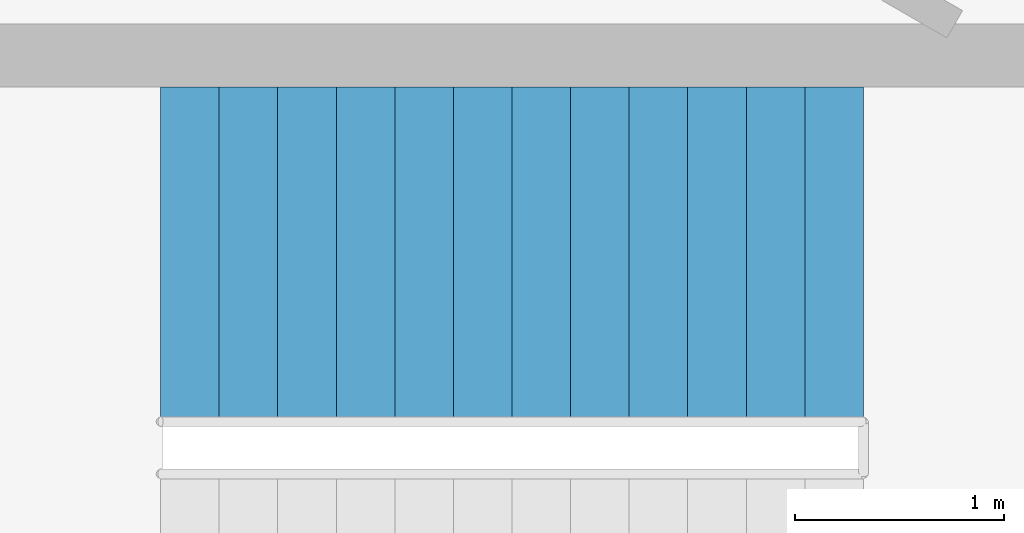
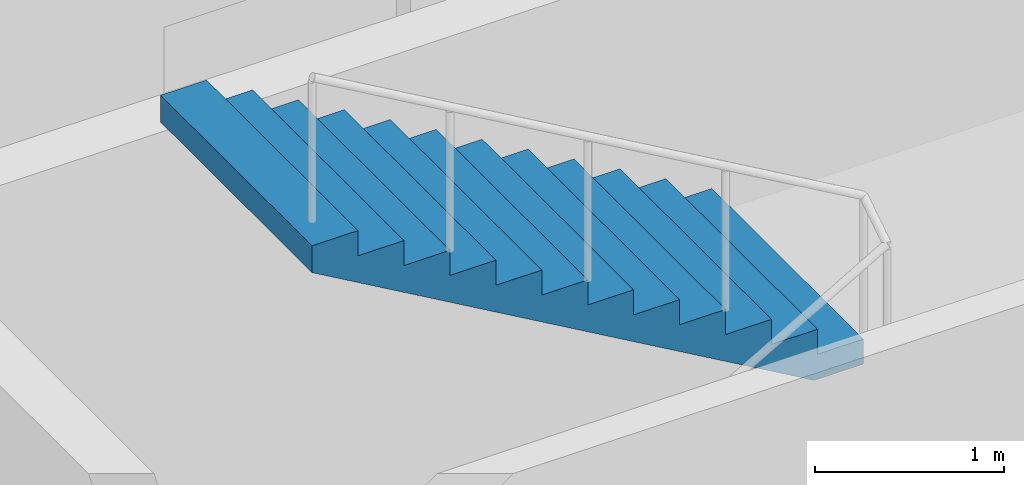
# One storey, part 7 of 8: 1 stair flight, 1 element without a shape of its own.
"""IFC4 building model written with IfcOpenShell, lengths in metres."""

from ifc_helpers import new_model, si_unit, direction, frame, origin, place, context, subcontext, project, spatial, polyline, outline, extrude, material, type_object, element, aggregate, save


model = new_model("IFC4")

# Units and contexts
model_context = context("Model", 3, precision=1e-05, world=origin(), true_north=direction((0.0, 1.0)))
body_context = subcontext(model_context, "Body", "Model", "MODEL_VIEW")
ifc_project = project(units=[si_unit("LENGTHUNIT", "METRE"), si_unit("AREAUNIT", "SQUARE_METRE"), si_unit("VOLUMEUNIT", "CUBIC_METRE"), si_unit("PLANEANGLEUNIT", "RADIAN"), si_unit("MASSUNIT", "GRAM", prefix="KILO")], contexts=[model_context])

# Site, building, storey
site_placement = place(None, origin())
site = spatial("IfcSite", under=ifc_project, at=site_placement, CompositionType="ELEMENT")
building_placement = place(site_placement, origin())
building = spatial("IfcBuilding", under=site, at=building_placement, Name="Fogline Exchange Tower", CompositionType="ELEMENT")
storey_placement = place(building_placement, frame((0.0, 0.0, 335.10009765625)))
storey = spatial("IfcBuildingStorey", under=building, at=storey_placement, Name="L76", CompositionType="ELEMENT", Elevation=335.10009765625)

# Stair, stair flight
ifc_material = material(Name="Concrete C40", Category="concrete")
stair_type = type_object("IfcStairType", Name="STR26-1615", PredefinedType="HALF_TURN_STAIR", material=ifc_material)
stair_placement = place(storey_placement, origin())
stair = element("IfcStair", 1, at=stair_placement, inside=storey, type_object=stair_type, Name="Stair ST3", PredefinedType="HALF_TURN_STAIR")
stair_flight_type = type_object("IfcStairFlightType", Name="SF13-1615", PredefinedType="STRAIGHT", material=ifc_material)
stair_flight_placement = place(storey_placement, frame((1.110107421875, 34.757080078125, 2.099853515625), z_axis=(0.0, 0.0, 1.0), x_axis=(-1.0, 0.0, 0.0)))
stair_flight = element("IfcStairFlight", 2, at=stair_flight_placement, type_object=stair_flight_type, Name="ST3 flight 2", NumberOfRisers=13, NumberOfTreads=12, PredefinedType="STRAIGHT", RiserHeight=0.161538462, TreadLength=0.28, context=body_context, shape_type="SweptSolid", body=[
    extrude(outline(polyline([(0.0, 0.0), (0.0, 0.16162109375), (0.280029296875, 0.16162109375), (0.280029296875, 0.322998046875), (0.56005859375, 0.322998046875), (0.56005859375, 0.484619140625), (0.840087890625, 0.484619140625), (0.840087890625, 0.646240234375), (1.1201171875, 0.646240234375), (1.1201171875, 0.8076171875), (1.39990234375, 0.8076171875), (1.39990234375, 0.96923828125), (1.679931640625, 0.96923828125), (1.679931640625, 1.130859375), (1.9599609375, 1.130859375), (1.9599609375, 1.292236328125), (2.239990234375, 1.292236328125), (2.239990234375, 1.453857421875), (2.52001953125, 1.453857421875), (2.52001953125, 1.615478515625), (2.800048828125, 1.615478515625), (2.800048828125, 1.77685546875), (3.080078125, 1.77685546875), (3.080078125, 1.9384765625), (3.360107421875, 1.9384765625), (3.360107421875, 2.10009765625), (3.360107421875, 1.765380859375), (0.300048828125, 0.0), (0.0, 0.0)])), frame((0.0, 0.800048828125, 0.0), z_axis=(0.0, -1.0, 0.0), x_axis=(1.0, 0.0, 0.0)), (0.0, 0.0, 1.0), 1.60009765625),
])
aggregate(stair, [stair_flight])

save(model, "model.ifc")
